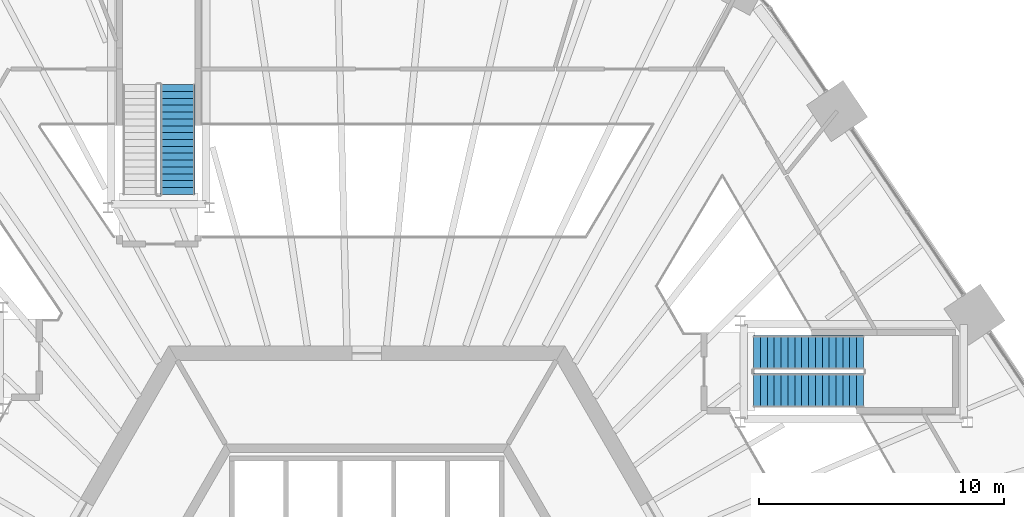
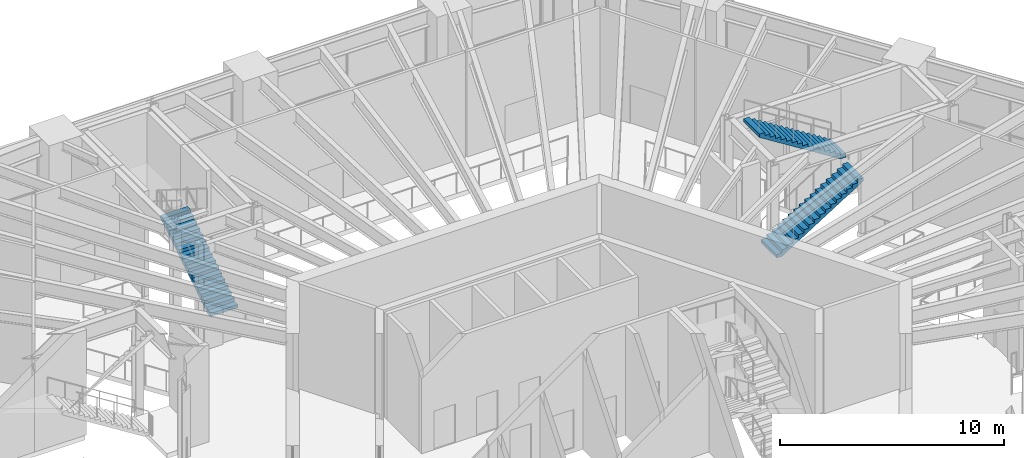
# One storey, part 26 of 32: 3 stair flights, 2 elements without a shape of their own.
"""IFC4 building model written with IfcOpenShell, lengths in metres."""

from ifc_helpers import new_model, si_unit, direction, frame, origin, place, context, subcontext, project, spatial, polyline, outline, extrude, material, type_object, element, aggregate, save


model = new_model("IFC4")

# Units and contexts
model_context = context("Model", 3, precision=1e-05, world=origin(), true_north=direction((0.0, 1.0)))
body_context = subcontext(model_context, "Body", "Model", "MODEL_VIEW")
ifc_project = project(units=[si_unit("LENGTHUNIT", "METRE"), si_unit("AREAUNIT", "SQUARE_METRE"), si_unit("VOLUMEUNIT", "CUBIC_METRE"), si_unit("PLANEANGLEUNIT", "RADIAN"), si_unit("MASSUNIT", "GRAM", prefix="KILO")], contexts=[model_context])

# Site, building, storey
site_placement = place(None, origin())
site = spatial("IfcSite", under=ifc_project, at=site_placement, CompositionType="ELEMENT")
building_placement = place(site_placement, origin())
building = spatial("IfcBuilding", under=site, at=building_placement, Name="Tarnside Tower", CompositionType="ELEMENT")
storey_placement = place(building_placement, frame((0.0, 0.0, 9.0)))
storey = spatial("IfcBuildingStorey", under=building, at=storey_placement, Name="L01", CompositionType="ELEMENT", Elevation=9.0)

# Stair, stair flight
ifc_material = material(Name="Concrete C40/50", Category="concrete")
stair_type = type_object("IfcStairType", Name="Podium exit stair 1400 clear", PredefinedType="HALF_TURN_STAIR", material=ifc_material)
stair_1_placement = place(storey_placement, origin())
stair_1 = element("IfcStair", 1, at=stair_1_placement, inside=storey, type_object=stair_type, Name="L01 Podium exit stair 1", PredefinedType="HALF_TURN_STAIR")
stair_flight_type = type_object("IfcStairFlightType", Name="Podium exit stair flight 1400", PredefinedType="STRAIGHT", material=ifc_material)
stair_flight_1_placement = place(storey_placement, frame((-7.71484375, 20.179931640625, 0.0), z_axis=(0.0, 0.0, 1.0), x_axis=(0.0, 1.0, 0.0)))
stair_flight_1 = element("IfcStairFlight", 2, at=stair_flight_1_placement, type_object=stair_flight_type, Name="PS1 flight 1", NumberOfRisers=17, NumberOfTreads=16, PredefinedType="STRAIGHT", RiserHeight=0.176470588, TreadLength=0.28, context=body_context, shape_type="SweptSolid", body=[
    extrude(outline(polyline([(0.0, 0.0), (0.0, 0.176513671875), (0.280029296875, 0.176513671875), (0.280029296875, 0.35302734375), (0.56005859375, 0.35302734375), (0.56005859375, 0.529296875), (0.840087890625, 0.529296875), (0.840087890625, 0.705810546875), (1.1201171875, 0.705810546875), (1.1201171875, 0.88232421875), (1.39990234375, 0.88232421875), (1.39990234375, 1.058837890625), (1.679931640625, 1.058837890625), (1.679931640625, 1.2353515625), (1.9599609375, 1.2353515625), (1.9599609375, 1.411865234375), (2.239990234375, 1.411865234375), (2.239990234375, 1.588134765625), (2.52001953125, 1.588134765625), (2.52001953125, 1.7646484375), (2.800048828125, 1.7646484375), (2.800048828125, 1.941162109375), (3.080078125, 1.941162109375), (3.080078125, 2.11767578125), (3.360107421875, 2.11767578125), (3.360107421875, 2.294189453125), (3.639892578125, 2.294189453125), (3.639892578125, 2.470703125), (3.919921875, 2.470703125), (3.919921875, 2.64697265625), (4.199951171875, 2.64697265625), (4.199951171875, 2.823486328125), (4.47998046875, 2.823486328125), (4.47998046875, 3.0), (4.47998046875, 2.646240234375), (0.28125, 0.0), (0.0, 0.0)])), frame((0.0, 0.699951171875, 0.0), z_axis=(0.0, -1.0, 0.0), x_axis=(1.0, 0.0, 0.0)), (0.0, 0.0, 1.0), 1.39990234375),
])
aggregate(stair_1, [stair_flight_1])

# Stair, stair flights
stair_2_placement = place(storey_placement, origin())
stair_2 = element("IfcStair", 3, at=stair_2_placement, inside=storey, type_object=stair_type, Name="L01 Podium exit stair 4", PredefinedType="HALF_TURN_STAIR")
stair_flight_2_placement = place(storey_placement, frame((15.7900390625, 12.175048828125, 0.0), z_axis=(0.0, 0.0, 1.0), x_axis=(1.0, 0.0, 0.0)))
stair_flight_2 = element("IfcStairFlight", 4, at=stair_flight_2_placement, type_object=stair_flight_type, Name="PS4 flight 1", NumberOfRisers=17, NumberOfTreads=16, PredefinedType="STRAIGHT", RiserHeight=0.176470588, TreadLength=0.28, context=body_context, shape_type="SweptSolid", body=[
    extrude(outline(polyline([(0.0, 0.0), (0.0, 0.176513671875), (0.280029296875, 0.176513671875), (0.280029296875, 0.35302734375), (0.56005859375, 0.35302734375), (0.56005859375, 0.529296875), (0.840087890625, 0.529296875), (0.840087890625, 0.705810546875), (1.1201171875, 0.705810546875), (1.1201171875, 0.88232421875), (1.39990234375, 0.88232421875), (1.39990234375, 1.058837890625), (1.679931640625, 1.058837890625), (1.679931640625, 1.2353515625), (1.9599609375, 1.2353515625), (1.9599609375, 1.411865234375), (2.239990234375, 1.411865234375), (2.239990234375, 1.588134765625), (2.52001953125, 1.588134765625), (2.52001953125, 1.7646484375), (2.800048828125, 1.7646484375), (2.800048828125, 1.941162109375), (3.080078125, 1.941162109375), (3.080078125, 2.11767578125), (3.360107421875, 2.11767578125), (3.360107421875, 2.294189453125), (3.639892578125, 2.294189453125), (3.639892578125, 2.470703125), (3.919921875, 2.470703125), (3.919921875, 2.64697265625), (4.199951171875, 2.64697265625), (4.199951171875, 2.823486328125), (4.47998046875, 2.823486328125), (4.47998046875, 3.0), (4.47998046875, 2.646240234375), (0.28125, 0.0), (0.0, 0.0)])), frame((0.0, 0.699951171875, 0.0), z_axis=(0.0, -1.0, 0.0), x_axis=(1.0, 0.0, 0.0)), (0.0, 0.0, 1.0), 1.39990234375),
])
stair_flight_3_placement = place(storey_placement, frame((20.27001953125, 13.72509765625, 3.0), z_axis=(0.0, 0.0, 1.0), x_axis=(-1.0, 0.0, 0.0)))
stair_flight_3 = element("IfcStairFlight", 5, at=stair_flight_3_placement, type_object=stair_flight_type, Name="PS4 flight 2", NumberOfRisers=17, NumberOfTreads=16, PredefinedType="STRAIGHT", RiserHeight=0.176470588, TreadLength=0.28, context=body_context, shape_type="SweptSolid", body=[
    extrude(outline(polyline([(0.0, 0.0), (0.0, 0.176513671875), (0.280029296875, 0.176513671875), (0.280029296875, 0.35302734375), (0.56005859375, 0.35302734375), (0.56005859375, 0.529296875), (0.840087890625, 0.529296875), (0.840087890625, 0.705810546875), (1.1201171875, 0.705810546875), (1.1201171875, 0.88232421875), (1.39990234375, 0.88232421875), (1.39990234375, 1.058837890625), (1.679931640625, 1.058837890625), (1.679931640625, 1.2353515625), (1.9599609375, 1.2353515625), (1.9599609375, 1.411865234375), (2.239990234375, 1.411865234375), (2.239990234375, 1.588134765625), (2.52001953125, 1.588134765625), (2.52001953125, 1.7646484375), (2.800048828125, 1.7646484375), (2.800048828125, 1.941162109375), (3.080078125, 1.941162109375), (3.080078125, 2.11767578125), (3.360107421875, 2.11767578125), (3.360107421875, 2.294189453125), (3.639892578125, 2.294189453125), (3.639892578125, 2.470703125), (3.919921875, 2.470703125), (3.919921875, 2.64697265625), (4.199951171875, 2.64697265625), (4.199951171875, 2.823486328125), (4.47998046875, 2.823486328125), (4.47998046875, 3.0), (4.47998046875, 2.646240234375), (0.28125, 0.0), (0.0, 0.0)])), frame((0.0, 0.699951171875, 0.0), z_axis=(0.0, -1.0, 0.0), x_axis=(1.0, 0.0, 0.0)), (0.0, 0.0, 1.0), 1.39990234375),
])
aggregate(stair_2, [stair_flight_2, stair_flight_3])

save(model, "model.ifc")
